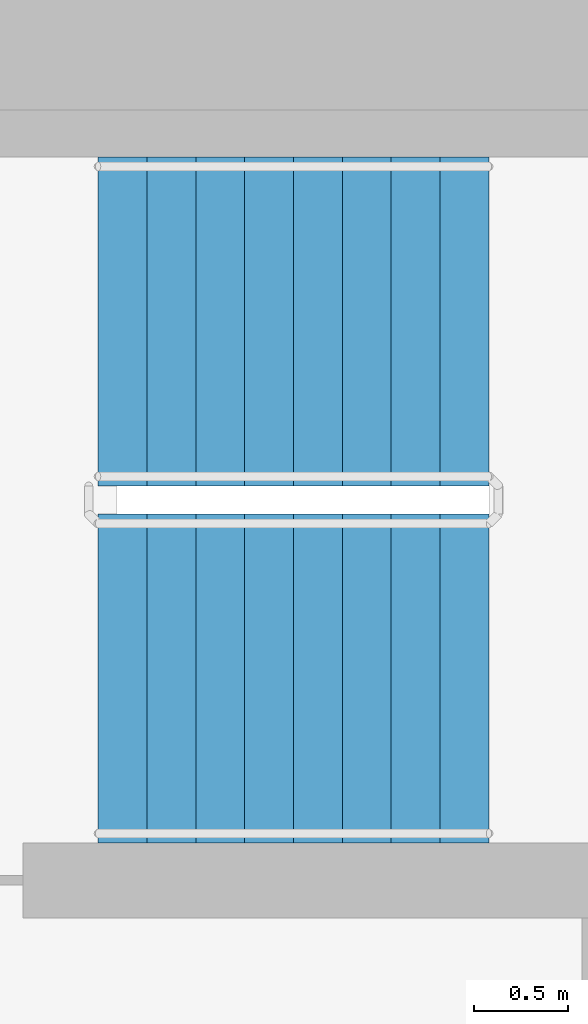
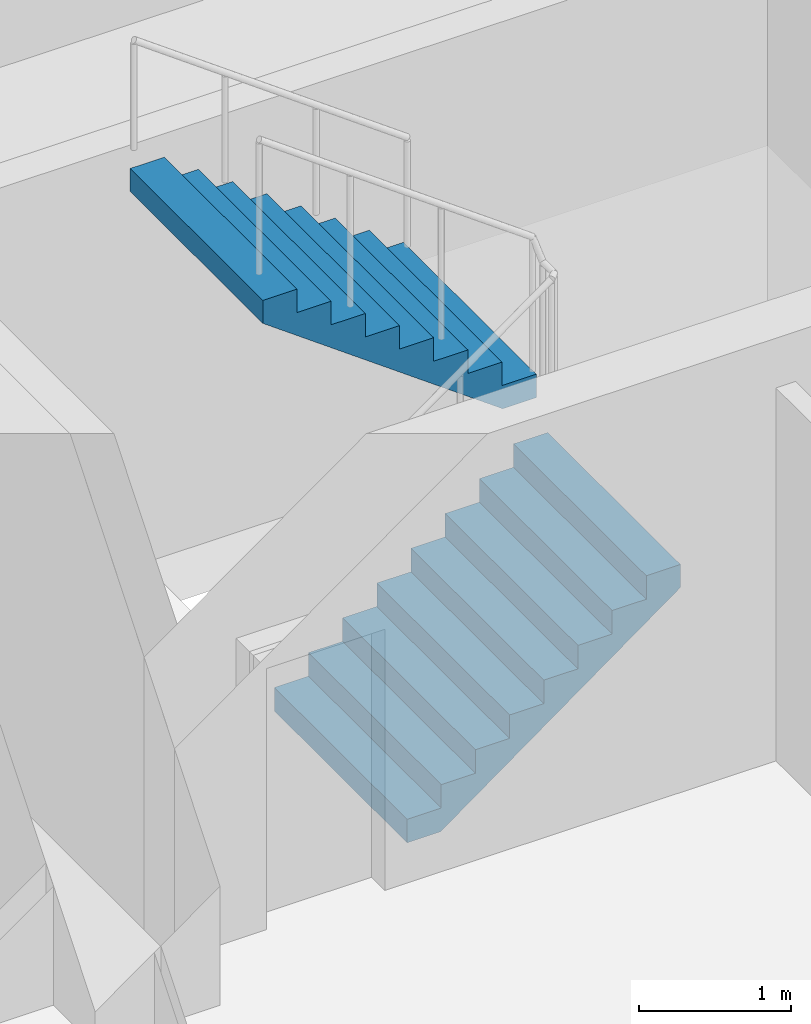
# One storey, part 16 of 21: 2 stair flights, 1 element without a shape of its own.
"""IFC4 building model written with IfcOpenShell, lengths in metres."""

from ifc_helpers import new_model, si_unit, direction, frame, origin, place, context, subcontext, project, spatial, faceted_brep, material, type_object, element, aggregate, save


model = new_model("IFC4")

# Units and contexts
model_context = context("Model", 3, precision=1e-05, world=origin(), true_north=direction((0.0, 1.0)))
body_context = subcontext(model_context, "Body", "Model", "MODEL_VIEW")
ifc_project = project(units=[si_unit("LENGTHUNIT", "METRE"), si_unit("AREAUNIT", "SQUARE_METRE"), si_unit("VOLUMEUNIT", "CUBIC_METRE"), si_unit("PLANEANGLEUNIT", "RADIAN"), si_unit("MASSUNIT", "GRAM", prefix="KILO")], contexts=[model_context])

# Site, building, storey
site_placement = place(None, origin())
site = spatial("IfcSite", under=ifc_project, at=site_placement, CompositionType="ELEMENT")
building_placement = place(site_placement, origin())
building = spatial("IfcBuilding", under=site, at=building_placement, Name="Ipe Terrace Towers", CompositionType="ELEMENT")
storey_placement = place(building_placement, frame((0.0, 0.0, 86.800048828125)))
storey = spatial("IfcBuildingStorey", under=building, at=storey_placement, Name="L23", CompositionType="ELEMENT", Elevation=86.800048828125)

# Stair, stair flights
ifc_material_1 = material(Name="Concrete C30/37", Category="concrete")
stair_type = type_object("IfcStairType", Name="Protected exit stair", PredefinedType="HALF_TURN_STAIR", material=ifc_material_1)
stair_placement = place(storey_placement, origin())
stair = element("IfcStair", 1, at=stair_placement, inside=storey, type_object=stair_type, Name="L23 Exit stair T1-C1", PredefinedType="HALF_TURN_STAIR")
ifc_material_2 = material(Name="Concrete C30/37", Category="concrete")
stair_flight_type = type_object("IfcStairFlightType", Name="Exit stair flight 1750", PredefinedType="STRAIGHT", material=ifc_material_2)
stair_flight_1_placement = place(storey_placement, frame((-26.300048828125, 2.77490234375, 0.0), z_axis=(0.0, 0.0, 1.0), x_axis=(1.0, 0.0, 0.0)))
stair_flight_1 = element("IfcStairFlight", 2, at=stair_flight_1_placement, type_object=stair_flight_type, Name="T1-ST1 flight 1", NumberOfRisers=9, NumberOfTreads=8, PredefinedType="STRAIGHT", RiserHeight=0.188888889, TreadLength=0.26, context=body_context, shape_type="Brep", body=[
    faceted_brep([(0.255126953125, -0.875, 0.0), (2.080078125, -0.875, 1.325927734375), (2.080078125, -0.875, 1.51123046875), (1.820068359375, -0.875, 1.51123046875), (1.820068359375, -0.875, 1.322265625), (1.56005859375, -0.875, 1.322265625), (1.56005859375, -0.875, 1.13330078125), (1.300048828125, -0.875, 1.13330078125), (1.300048828125, -0.875, 0.9443359375), (1.0400390625, -0.875, 0.9443359375), (1.0400390625, -0.875, 0.755615234375), (0.780029296875, -0.875, 0.755615234375), (0.780029296875, -0.875, 0.566650390625), (0.52001953125, -0.875, 0.566650390625), (0.52001953125, -0.875, 0.377685546875), (0.260009765625, -0.875, 0.377685546875), (0.260009765625, -0.875, 0.18896484375), (0.0, -0.875, 0.18896484375), (0.0, -0.875, 0.0), (0.0, 0.875, 0.0), (0.0, 0.875, 0.18896484375), (0.260009765625, 0.875, 0.18896484375), (0.260009765625, 0.875, 0.377685546875), (0.52001953125, 0.875, 0.377685546875), (0.52001953125, 0.875, 0.566650390625), (0.780029296875, 0.875, 0.566650390625), (0.780029296875, 0.875, 0.755615234375), (1.0400390625, 0.875, 0.755615234375), (1.0400390625, 0.875, 0.9443359375), (1.300048828125, 0.875, 0.9443359375), (1.300048828125, 0.875, 1.13330078125), (1.56005859375, 0.875, 1.13330078125), (1.56005859375, 0.875, 1.322265625), (1.820068359375, 0.875, 1.322265625), (1.820068359375, 0.875, 1.51123046875), (2.080078125, 0.875, 1.51123046875), (2.080078125, 0.875, 1.325927734375), (0.255126953125, 0.875, 0.0), (0.0, -0.300048828125, 0.18896484375), (0.0, -0.1201171875, 0.18896484375), (0.0, -0.06005859375, 0.18896484375), (0.0, -0.030029296875, 0.18896484375), (0.0, -0.010009765625, 0.18896484375), (0.0, 0.0, 0.18896484375), (0.0, 0.010009765625, 0.18896484375), (0.0, 0.030029296875, 0.18896484375), (0.0, 0.06005859375, 0.18896484375), (0.0, 0.1201171875, 0.18896484375), (0.0, 0.300048828125, 0.18896484375), (0.0, 0.300048828125, 0.0), (0.0, 0.1201171875, 0.0), (0.0, 0.06005859375, 0.0), (0.0, 0.030029296875, 0.0), (0.0, 0.010009765625, 0.0), (0.0, 0.0, 0.0), (0.0, -0.010009765625, 0.0), (0.0, -0.030029296875, 0.0), (0.0, -0.06005859375, 0.0), (0.0, -0.1201171875, 0.0), (0.0, -0.300048828125, 0.0), (0.260009765625, -0.300048828125, 0.18896484375), (0.260009765625, -0.1201171875, 0.18896484375), (0.260009765625, -0.06005859375, 0.18896484375), (0.260009765625, -0.030029296875, 0.18896484375), (0.260009765625, -0.010009765625, 0.18896484375), (0.260009765625, 0.0, 0.18896484375), (0.260009765625, 0.010009765625, 0.18896484375), (0.260009765625, 0.030029296875, 0.18896484375), (0.260009765625, 0.06005859375, 0.18896484375), (0.260009765625, 0.1201171875, 0.18896484375), (0.260009765625, 0.300048828125, 0.18896484375), (0.260009765625, -0.300048828125, 0.377685546875), (0.260009765625, -0.1201171875, 0.377685546875), (0.260009765625, -0.06005859375, 0.377685546875), (0.260009765625, -0.030029296875, 0.377685546875), (0.260009765625, -0.010009765625, 0.377685546875), (0.260009765625, 0.0, 0.377685546875), (0.260009765625, 0.010009765625, 0.377685546875), (0.260009765625, 0.030029296875, 0.377685546875), (0.260009765625, 0.06005859375, 0.377685546875), (0.260009765625, 0.1201171875, 0.377685546875), (0.260009765625, 0.300048828125, 0.377685546875), (0.52001953125, -0.300048828125, 0.377685546875), (0.52001953125, -0.1201171875, 0.377685546875), (0.52001953125, -0.06005859375, 0.377685546875), (0.52001953125, -0.030029296875, 0.377685546875), (0.52001953125, -0.010009765625, 0.377685546875), (0.52001953125, 0.0, 0.377685546875), (0.52001953125, 0.010009765625, 0.377685546875), (0.52001953125, 0.030029296875, 0.377685546875), (0.52001953125, 0.06005859375, 0.377685546875), (0.52001953125, 0.1201171875, 0.377685546875), (0.52001953125, 0.300048828125, 0.377685546875), (0.52001953125, -0.300048828125, 0.566650390625), (0.52001953125, -0.1201171875, 0.566650390625), (0.52001953125, -0.06005859375, 0.566650390625), (0.52001953125, -0.030029296875, 0.566650390625), (0.52001953125, -0.010009765625, 0.566650390625), (0.52001953125, 0.0, 0.566650390625), (0.52001953125, 0.010009765625, 0.566650390625), (0.52001953125, 0.030029296875, 0.566650390625), (0.52001953125, 0.06005859375, 0.566650390625), (0.52001953125, 0.1201171875, 0.566650390625), (0.52001953125, 0.300048828125, 0.566650390625), (0.780029296875, -0.300048828125, 0.566650390625), (0.780029296875, -0.1201171875, 0.566650390625), (0.780029296875, -0.06005859375, 0.566650390625), (0.780029296875, -0.030029296875, 0.566650390625), (0.780029296875, -0.010009765625, 0.566650390625), (0.780029296875, 0.0, 0.566650390625), (0.780029296875, 0.010009765625, 0.566650390625), (0.780029296875, 0.030029296875, 0.566650390625), (0.780029296875, 0.06005859375, 0.566650390625), (0.780029296875, 0.1201171875, 0.566650390625), (0.780029296875, 0.300048828125, 0.566650390625), (0.780029296875, -0.300048828125, 0.755615234375), (0.780029296875, -0.1201171875, 0.755615234375), (0.780029296875, -0.06005859375, 0.755615234375), (0.780029296875, -0.030029296875, 0.755615234375), (0.780029296875, -0.010009765625, 0.755615234375), (0.780029296875, 0.0, 0.755615234375), (0.780029296875, 0.010009765625, 0.755615234375), (0.780029296875, 0.030029296875, 0.755615234375), (0.780029296875, 0.06005859375, 0.755615234375), (0.780029296875, 0.1201171875, 0.755615234375), (0.780029296875, 0.300048828125, 0.755615234375), (1.0400390625, -0.300048828125, 0.755615234375), (1.0400390625, -0.1201171875, 0.755615234375), (1.0400390625, -0.06005859375, 0.755615234375), (1.0400390625, -0.030029296875, 0.755615234375), (1.0400390625, -0.010009765625, 0.755615234375), (1.0400390625, 0.0, 0.755615234375), (1.0400390625, 0.010009765625, 0.755615234375), (1.0400390625, 0.030029296875, 0.755615234375), (1.0400390625, 0.06005859375, 0.755615234375), (1.0400390625, 0.1201171875, 0.755615234375), (1.0400390625, 0.300048828125, 0.755615234375), (1.0400390625, -0.300048828125, 0.9443359375), (1.0400390625, -0.1201171875, 0.9443359375), (1.0400390625, -0.06005859375, 0.9443359375), (1.0400390625, -0.030029296875, 0.9443359375), (1.0400390625, -0.010009765625, 0.9443359375), (1.0400390625, 0.0, 0.9443359375), (1.0400390625, 0.010009765625, 0.9443359375), (1.0400390625, 0.030029296875, 0.9443359375), (1.0400390625, 0.06005859375, 0.9443359375), (1.0400390625, 0.1201171875, 0.9443359375), (1.0400390625, 0.300048828125, 0.9443359375), (1.300048828125, -0.300048828125, 0.9443359375), (1.300048828125, -0.1201171875, 0.9443359375), (1.300048828125, -0.06005859375, 0.9443359375), (1.300048828125, -0.030029296875, 0.9443359375), (1.300048828125, -0.010009765625, 0.9443359375), (1.300048828125, 0.0, 0.9443359375), (1.300048828125, 0.010009765625, 0.9443359375), (1.300048828125, 0.030029296875, 0.9443359375), (1.300048828125, 0.06005859375, 0.9443359375), (1.300048828125, 0.1201171875, 0.9443359375), (1.300048828125, 0.300048828125, 0.9443359375), (1.300048828125, -0.300048828125, 1.13330078125), (1.300048828125, -0.1201171875, 1.13330078125), (1.300048828125, -0.06005859375, 1.13330078125), (1.300048828125, -0.030029296875, 1.13330078125), (1.300048828125, -0.010009765625, 1.13330078125), (1.300048828125, 0.0, 1.13330078125), (1.300048828125, 0.010009765625, 1.13330078125), (1.300048828125, 0.030029296875, 1.13330078125), (1.300048828125, 0.06005859375, 1.13330078125), (1.300048828125, 0.1201171875, 1.13330078125), (1.300048828125, 0.300048828125, 1.13330078125), (1.56005859375, -0.300048828125, 1.13330078125), (1.56005859375, -0.1201171875, 1.13330078125), (1.56005859375, -0.06005859375, 1.13330078125), (1.56005859375, -0.030029296875, 1.13330078125), (1.56005859375, -0.010009765625, 1.13330078125), (1.56005859375, 0.0, 1.13330078125), (1.56005859375, 0.010009765625, 1.13330078125), (1.56005859375, 0.030029296875, 1.13330078125), (1.56005859375, 0.06005859375, 1.13330078125), (1.56005859375, 0.1201171875, 1.13330078125), (1.56005859375, 0.300048828125, 1.13330078125), (1.56005859375, -0.300048828125, 1.322265625), (1.56005859375, -0.1201171875, 1.322265625), (1.56005859375, -0.06005859375, 1.322265625), (1.56005859375, -0.030029296875, 1.322265625), (1.56005859375, -0.010009765625, 1.322265625), (1.56005859375, 0.0, 1.322265625), (1.56005859375, 0.010009765625, 1.322265625), (1.56005859375, 0.030029296875, 1.322265625), (1.56005859375, 0.06005859375, 1.322265625), (1.56005859375, 0.1201171875, 1.322265625), (1.56005859375, 0.300048828125, 1.322265625), (1.820068359375, -0.300048828125, 1.322265625), (1.820068359375, -0.1201171875, 1.322265625), (1.820068359375, -0.06005859375, 1.322265625), (1.820068359375, -0.030029296875, 1.322265625), (1.820068359375, -0.010009765625, 1.322265625), (1.820068359375, 0.0, 1.322265625), (1.820068359375, 0.010009765625, 1.322265625), (1.820068359375, 0.030029296875, 1.322265625), (1.820068359375, 0.06005859375, 1.322265625), (1.820068359375, 0.1201171875, 1.322265625), (1.820068359375, 0.300048828125, 1.322265625), (1.820068359375, -0.300048828125, 1.51123046875), (1.820068359375, -0.1201171875, 1.51123046875), (1.820068359375, -0.06005859375, 1.51123046875), (1.820068359375, -0.030029296875, 1.51123046875), (1.820068359375, -0.010009765625, 1.51123046875), (1.820068359375, 0.0, 1.51123046875), (1.820068359375, 0.010009765625, 1.51123046875), (1.820068359375, 0.030029296875, 1.51123046875), (1.820068359375, 0.06005859375, 1.51123046875), (1.820068359375, 0.1201171875, 1.51123046875), (1.820068359375, 0.300048828125, 1.51123046875), (2.080078125, -0.300048828125, 1.51123046875), (2.080078125, -0.1201171875, 1.51123046875), (2.080078125, -0.06005859375, 1.51123046875), (2.080078125, -0.030029296875, 1.51123046875), (2.080078125, -0.010009765625, 1.51123046875), (2.080078125, 0.0, 1.51123046875), (2.080078125, 0.010009765625, 1.51123046875), (2.080078125, 0.030029296875, 1.51123046875), (2.080078125, 0.06005859375, 1.51123046875), (2.080078125, 0.1201171875, 1.51123046875), (2.080078125, 0.300048828125, 1.51123046875), (2.080078125, -0.300048828125, 1.325927734375), (2.080078125, -0.1201171875, 1.325927734375), (2.080078125, -0.06005859375, 1.325927734375), (2.080078125, -0.030029296875, 1.325927734375), (2.080078125, -0.010009765625, 1.325927734375), (2.080078125, 0.0, 1.325927734375), (2.080078125, 0.010009765625, 1.325927734375), (2.080078125, 0.030029296875, 1.325927734375), (2.080078125, 0.06005859375, 1.325927734375), (2.080078125, 0.1201171875, 1.325927734375), (2.080078125, 0.300048828125, 1.325927734375), (0.255126953125, -0.300048828125, 0.0), (0.255126953125, -0.1201171875, 0.0), (0.255126953125, -0.06005859375, 0.0), (0.255126953125, -0.030029296875, 0.0), (0.255126953125, -0.010009765625, 0.0), (0.255126953125, 0.0, 0.0), (0.255126953125, 0.010009765625, 0.0), (0.255126953125, 0.030029296875, 0.0), (0.255126953125, 0.06005859375, 0.0), (0.255126953125, 0.1201171875, 0.0), (0.255126953125, 0.300048828125, 0.0)], [[[0, 1, 2, 3, 4, 5, 6, 7, 8, 9, 10, 11, 12, 13, 14, 15, 16, 17, 18]], [[19, 20, 21, 22, 23, 24, 25, 26, 27, 28, 29, 30, 31, 32, 33, 34, 35, 36, 37]], [[17, 38, 39, 40, 41, 42, 43, 44, 45, 46, 47, 48, 20, 19, 49, 50, 51, 52, 53, 54, 55, 56, 57, 58, 59, 18]], [[16, 60, 61, 62, 63, 64, 65, 66, 67, 68, 69, 70, 21, 20, 48, 47, 46, 45, 44, 43, 42, 41, 40, 39, 38, 17]], [[15, 71, 72, 73, 74, 75, 76, 77, 78, 79, 80, 81, 22, 21, 70, 69, 68, 67, 66, 65, 64, 63, 62, 61, 60, 16]], [[14, 82, 83, 84, 85, 86, 87, 88, 89, 90, 91, 92, 23, 22, 81, 80, 79, 78, 77, 76, 75, 74, 73, 72, 71, 15]], [[13, 93, 94, 95, 96, 97, 98, 99, 100, 101, 102, 103, 24, 23, 92, 91, 90, 89, 88, 87, 86, 85, 84, 83, 82, 14]], [[12, 104, 105, 106, 107, 108, 109, 110, 111, 112, 113, 114, 25, 24, 103, 102, 101, 100, 99, 98, 97, 96, 95, 94, 93, 13]], [[11, 115, 116, 117, 118, 119, 120, 121, 122, 123, 124, 125, 26, 25, 114, 113, 112, 111, 110, 109, 108, 107, 106, 105, 104, 12]], [[10, 126, 127, 128, 129, 130, 131, 132, 133, 134, 135, 136, 27, 26, 125, 124, 123, 122, 121, 120, 119, 118, 117, 116, 115, 11]], [[9, 137, 138, 139, 140, 141, 142, 143, 144, 145, 146, 147, 28, 27, 136, 135, 134, 133, 132, 131, 130, 129, 128, 127, 126, 10]], [[8, 148, 149, 150, 151, 152, 153, 154, 155, 156, 157, 158, 29, 28, 147, 146, 145, 144, 143, 142, 141, 140, 139, 138, 137, 9]], [[7, 159, 160, 161, 162, 163, 164, 165, 166, 167, 168, 169, 30, 29, 158, 157, 156, 155, 154, 153, 152, 151, 150, 149, 148, 8]], [[6, 170, 171, 172, 173, 174, 175, 176, 177, 178, 179, 180, 31, 30, 169, 168, 167, 166, 165, 164, 163, 162, 161, 160, 159, 7]], [[5, 181, 182, 183, 184, 185, 186, 187, 188, 189, 190, 191, 32, 31, 180, 179, 178, 177, 176, 175, 174, 173, 172, 171, 170, 6]], [[4, 192, 193, 194, 195, 196, 197, 198, 199, 200, 201, 202, 33, 32, 191, 190, 189, 188, 187, 186, 185, 184, 183, 182, 181, 5]], [[3, 203, 204, 205, 206, 207, 208, 209, 210, 211, 212, 213, 34, 33, 202, 201, 200, 199, 198, 197, 196, 195, 194, 193, 192, 4]], [[2, 214, 215, 216, 217, 218, 219, 220, 221, 222, 223, 224, 35, 34, 213, 212, 211, 210, 209, 208, 207, 206, 205, 204, 203, 3]], [[1, 225, 226, 227, 228, 229, 230, 231, 232, 233, 234, 235, 36, 35, 224, 223, 222, 221, 220, 219, 218, 217, 216, 215, 214, 2]], [[0, 236, 237, 238, 239, 240, 241, 242, 243, 244, 245, 246, 37, 36, 235, 234, 233, 232, 231, 230, 229, 228, 227, 226, 225, 1]], [[18, 59, 58, 57, 56, 55, 54, 53, 52, 51, 50, 49, 19, 37, 246, 245, 244, 243, 242, 241, 240, 239, 238, 237, 236, 0]]]),
])
stair_flight_2_placement = place(storey_placement, frame((-24.219970703125, 4.675048828125, 1.699951171875), z_axis=(0.0, 0.0, 1.0), x_axis=(-1.0, 0.0, 0.0)))
stair_flight_2 = element("IfcStairFlight", 3, at=stair_flight_2_placement, type_object=stair_flight_type, Name="T1-ST1 flight 2", NumberOfRisers=9, NumberOfTreads=8, PredefinedType="STRAIGHT", RiserHeight=0.188888889, TreadLength=0.26, context=body_context, shape_type="Brep", body=[
    faceted_brep([(0.255126953125, -0.875, 0.0), (2.080078125, -0.875, 1.325927734375), (2.080078125, -0.875, 1.51123046875), (1.820068359375, -0.875, 1.51123046875), (1.820068359375, -0.875, 1.322265625), (1.56005859375, -0.875, 1.322265625), (1.56005859375, -0.875, 1.13330078125), (1.300048828125, -0.875, 1.13330078125), (1.300048828125, -0.875, 0.9443359375), (1.0400390625, -0.875, 0.9443359375), (1.0400390625, -0.875, 0.755615234375), (0.780029296875, -0.875, 0.755615234375), (0.780029296875, -0.875, 0.566650390625), (0.52001953125, -0.875, 0.566650390625), (0.52001953125, -0.875, 0.377685546875), (0.260009765625, -0.875, 0.377685546875), (0.260009765625, -0.875, 0.18896484375), (0.0, -0.875, 0.18896484375), (0.0, -0.875, 0.0), (0.0, 0.875, 0.0), (0.0, 0.875, 0.18896484375), (0.260009765625, 0.875, 0.18896484375), (0.260009765625, 0.875, 0.377685546875), (0.52001953125, 0.875, 0.377685546875), (0.52001953125, 0.875, 0.566650390625), (0.780029296875, 0.875, 0.566650390625), (0.780029296875, 0.875, 0.755615234375), (1.0400390625, 0.875, 0.755615234375), (1.0400390625, 0.875, 0.9443359375), (1.300048828125, 0.875, 0.9443359375), (1.300048828125, 0.875, 1.13330078125), (1.56005859375, 0.875, 1.13330078125), (1.56005859375, 0.875, 1.322265625), (1.820068359375, 0.875, 1.322265625), (1.820068359375, 0.875, 1.51123046875), (2.080078125, 0.875, 1.51123046875), (2.080078125, 0.875, 1.325927734375), (0.255126953125, 0.875, 0.0), (0.0, -0.300048828125, 0.18896484375), (0.0, -0.1201171875, 0.18896484375), (0.0, -0.06005859375, 0.18896484375), (0.0, -0.030029296875, 0.18896484375), (0.0, -0.010009765625, 0.18896484375), (0.0, 0.0, 0.18896484375), (0.0, 0.010009765625, 0.18896484375), (0.0, 0.030029296875, 0.18896484375), (0.0, 0.06005859375, 0.18896484375), (0.0, 0.1201171875, 0.18896484375), (0.0, 0.300048828125, 0.18896484375), (0.0, 0.300048828125, 0.0), (0.0, 0.1201171875, 0.0), (0.0, 0.06005859375, 0.0), (0.0, 0.030029296875, 0.0), (0.0, 0.010009765625, 0.0), (0.0, 0.0, 0.0), (0.0, -0.010009765625, 0.0), (0.0, -0.030029296875, 0.0), (0.0, -0.06005859375, 0.0), (0.0, -0.1201171875, 0.0), (0.0, -0.300048828125, 0.0), (0.260009765625, -0.300048828125, 0.18896484375), (0.260009765625, -0.1201171875, 0.18896484375), (0.260009765625, -0.06005859375, 0.18896484375), (0.260009765625, -0.030029296875, 0.18896484375), (0.260009765625, -0.010009765625, 0.18896484375), (0.260009765625, 0.0, 0.18896484375), (0.260009765625, 0.010009765625, 0.18896484375), (0.260009765625, 0.030029296875, 0.18896484375), (0.260009765625, 0.06005859375, 0.18896484375), (0.260009765625, 0.1201171875, 0.18896484375), (0.260009765625, 0.300048828125, 0.18896484375), (0.260009765625, -0.300048828125, 0.377685546875), (0.260009765625, -0.1201171875, 0.377685546875), (0.260009765625, -0.06005859375, 0.377685546875), (0.260009765625, -0.030029296875, 0.377685546875), (0.260009765625, -0.010009765625, 0.377685546875), (0.260009765625, 0.0, 0.377685546875), (0.260009765625, 0.010009765625, 0.377685546875), (0.260009765625, 0.030029296875, 0.377685546875), (0.260009765625, 0.06005859375, 0.377685546875), (0.260009765625, 0.1201171875, 0.377685546875), (0.260009765625, 0.300048828125, 0.377685546875), (0.52001953125, -0.300048828125, 0.377685546875), (0.52001953125, -0.1201171875, 0.377685546875), (0.52001953125, -0.06005859375, 0.377685546875), (0.52001953125, -0.030029296875, 0.377685546875), (0.52001953125, -0.010009765625, 0.377685546875), (0.52001953125, 0.0, 0.377685546875), (0.52001953125, 0.010009765625, 0.377685546875), (0.52001953125, 0.030029296875, 0.377685546875), (0.52001953125, 0.06005859375, 0.377685546875), (0.52001953125, 0.1201171875, 0.377685546875), (0.52001953125, 0.300048828125, 0.377685546875), (0.52001953125, -0.300048828125, 0.566650390625), (0.52001953125, -0.1201171875, 0.566650390625), (0.52001953125, -0.06005859375, 0.566650390625), (0.52001953125, -0.030029296875, 0.566650390625), (0.52001953125, -0.010009765625, 0.566650390625), (0.52001953125, 0.0, 0.566650390625), (0.52001953125, 0.010009765625, 0.566650390625), (0.52001953125, 0.030029296875, 0.566650390625), (0.52001953125, 0.06005859375, 0.566650390625), (0.52001953125, 0.1201171875, 0.566650390625), (0.52001953125, 0.300048828125, 0.566650390625), (0.780029296875, -0.300048828125, 0.566650390625), (0.780029296875, -0.1201171875, 0.566650390625), (0.780029296875, -0.06005859375, 0.566650390625), (0.780029296875, -0.030029296875, 0.566650390625), (0.780029296875, -0.010009765625, 0.566650390625), (0.780029296875, 0.0, 0.566650390625), (0.780029296875, 0.010009765625, 0.566650390625), (0.780029296875, 0.030029296875, 0.566650390625), (0.780029296875, 0.06005859375, 0.566650390625), (0.780029296875, 0.1201171875, 0.566650390625), (0.780029296875, 0.300048828125, 0.566650390625), (0.780029296875, -0.300048828125, 0.755615234375), (0.780029296875, -0.1201171875, 0.755615234375), (0.780029296875, -0.06005859375, 0.755615234375), (0.780029296875, -0.030029296875, 0.755615234375), (0.780029296875, -0.010009765625, 0.755615234375), (0.780029296875, 0.0, 0.755615234375), (0.780029296875, 0.010009765625, 0.755615234375), (0.780029296875, 0.030029296875, 0.755615234375), (0.780029296875, 0.06005859375, 0.755615234375), (0.780029296875, 0.1201171875, 0.755615234375), (0.780029296875, 0.300048828125, 0.755615234375), (1.0400390625, -0.300048828125, 0.755615234375), (1.0400390625, -0.1201171875, 0.755615234375), (1.0400390625, -0.06005859375, 0.755615234375), (1.0400390625, -0.030029296875, 0.755615234375), (1.0400390625, -0.010009765625, 0.755615234375), (1.0400390625, 0.0, 0.755615234375), (1.0400390625, 0.010009765625, 0.755615234375), (1.0400390625, 0.030029296875, 0.755615234375), (1.0400390625, 0.06005859375, 0.755615234375), (1.0400390625, 0.1201171875, 0.755615234375), (1.0400390625, 0.300048828125, 0.755615234375), (1.0400390625, -0.300048828125, 0.9443359375), (1.0400390625, -0.1201171875, 0.9443359375), (1.0400390625, -0.06005859375, 0.9443359375), (1.0400390625, -0.030029296875, 0.9443359375), (1.0400390625, -0.010009765625, 0.9443359375), (1.0400390625, 0.0, 0.9443359375), (1.0400390625, 0.010009765625, 0.9443359375), (1.0400390625, 0.030029296875, 0.9443359375), (1.0400390625, 0.06005859375, 0.9443359375), (1.0400390625, 0.1201171875, 0.9443359375), (1.0400390625, 0.300048828125, 0.9443359375), (1.300048828125, -0.300048828125, 0.9443359375), (1.300048828125, -0.1201171875, 0.9443359375), (1.300048828125, -0.06005859375, 0.9443359375), (1.300048828125, -0.030029296875, 0.9443359375), (1.300048828125, -0.010009765625, 0.9443359375), (1.300048828125, 0.0, 0.9443359375), (1.300048828125, 0.010009765625, 0.9443359375), (1.300048828125, 0.030029296875, 0.9443359375), (1.300048828125, 0.06005859375, 0.9443359375), (1.300048828125, 0.1201171875, 0.9443359375), (1.300048828125, 0.300048828125, 0.9443359375), (1.300048828125, -0.300048828125, 1.13330078125), (1.300048828125, -0.1201171875, 1.13330078125), (1.300048828125, -0.06005859375, 1.13330078125), (1.300048828125, -0.030029296875, 1.13330078125), (1.300048828125, -0.010009765625, 1.13330078125), (1.300048828125, 0.0, 1.13330078125), (1.300048828125, 0.010009765625, 1.13330078125), (1.300048828125, 0.030029296875, 1.13330078125), (1.300048828125, 0.06005859375, 1.13330078125), (1.300048828125, 0.1201171875, 1.13330078125), (1.300048828125, 0.300048828125, 1.13330078125), (1.56005859375, -0.300048828125, 1.13330078125), (1.56005859375, -0.1201171875, 1.13330078125), (1.56005859375, -0.06005859375, 1.13330078125), (1.56005859375, -0.030029296875, 1.13330078125), (1.56005859375, -0.010009765625, 1.13330078125), (1.56005859375, 0.0, 1.13330078125), (1.56005859375, 0.010009765625, 1.13330078125), (1.56005859375, 0.030029296875, 1.13330078125), (1.56005859375, 0.06005859375, 1.13330078125), (1.56005859375, 0.1201171875, 1.13330078125), (1.56005859375, 0.300048828125, 1.13330078125), (1.56005859375, -0.300048828125, 1.322265625), (1.56005859375, -0.1201171875, 1.322265625), (1.56005859375, -0.06005859375, 1.322265625), (1.56005859375, -0.030029296875, 1.322265625), (1.56005859375, -0.010009765625, 1.322265625), (1.56005859375, 0.0, 1.322265625), (1.56005859375, 0.010009765625, 1.322265625), (1.56005859375, 0.030029296875, 1.322265625), (1.56005859375, 0.06005859375, 1.322265625), (1.56005859375, 0.1201171875, 1.322265625), (1.56005859375, 0.300048828125, 1.322265625), (1.820068359375, -0.300048828125, 1.322265625), (1.820068359375, -0.1201171875, 1.322265625), (1.820068359375, -0.06005859375, 1.322265625), (1.820068359375, -0.030029296875, 1.322265625), (1.820068359375, -0.010009765625, 1.322265625), (1.820068359375, 0.0, 1.322265625), (1.820068359375, 0.010009765625, 1.322265625), (1.820068359375, 0.030029296875, 1.322265625), (1.820068359375, 0.06005859375, 1.322265625), (1.820068359375, 0.1201171875, 1.322265625), (1.820068359375, 0.300048828125, 1.322265625), (1.820068359375, -0.300048828125, 1.51123046875), (1.820068359375, -0.1201171875, 1.51123046875), (1.820068359375, -0.06005859375, 1.51123046875), (1.820068359375, -0.030029296875, 1.51123046875), (1.820068359375, -0.010009765625, 1.51123046875), (1.820068359375, 0.0, 1.51123046875), (1.820068359375, 0.010009765625, 1.51123046875), (1.820068359375, 0.030029296875, 1.51123046875), (1.820068359375, 0.06005859375, 1.51123046875), (1.820068359375, 0.1201171875, 1.51123046875), (1.820068359375, 0.300048828125, 1.51123046875), (2.080078125, -0.300048828125, 1.51123046875), (2.080078125, -0.1201171875, 1.51123046875), (2.080078125, -0.06005859375, 1.51123046875), (2.080078125, -0.030029296875, 1.51123046875), (2.080078125, -0.010009765625, 1.51123046875), (2.080078125, 0.0, 1.51123046875), (2.080078125, 0.010009765625, 1.51123046875), (2.080078125, 0.030029296875, 1.51123046875), (2.080078125, 0.06005859375, 1.51123046875), (2.080078125, 0.1201171875, 1.51123046875), (2.080078125, 0.300048828125, 1.51123046875), (2.080078125, -0.300048828125, 1.325927734375), (2.080078125, -0.1201171875, 1.325927734375), (2.080078125, -0.06005859375, 1.325927734375), (2.080078125, -0.030029296875, 1.325927734375), (2.080078125, -0.010009765625, 1.325927734375), (2.080078125, 0.0, 1.325927734375), (2.080078125, 0.010009765625, 1.325927734375), (2.080078125, 0.030029296875, 1.325927734375), (2.080078125, 0.06005859375, 1.325927734375), (2.080078125, 0.1201171875, 1.325927734375), (2.080078125, 0.300048828125, 1.325927734375), (0.255126953125, -0.300048828125, 0.0), (0.255126953125, -0.1201171875, 0.0), (0.255126953125, -0.06005859375, 0.0), (0.255126953125, -0.030029296875, 0.0), (0.255126953125, -0.010009765625, 0.0), (0.255126953125, 0.0, 0.0), (0.255126953125, 0.010009765625, 0.0), (0.255126953125, 0.030029296875, 0.0), (0.255126953125, 0.06005859375, 0.0), (0.255126953125, 0.1201171875, 0.0), (0.255126953125, 0.300048828125, 0.0)], [[[0, 1, 2, 3, 4, 5, 6, 7, 8, 9, 10, 11, 12, 13, 14, 15, 16, 17, 18]], [[19, 20, 21, 22, 23, 24, 25, 26, 27, 28, 29, 30, 31, 32, 33, 34, 35, 36, 37]], [[17, 38, 39, 40, 41, 42, 43, 44, 45, 46, 47, 48, 20, 19, 49, 50, 51, 52, 53, 54, 55, 56, 57, 58, 59, 18]], [[16, 60, 61, 62, 63, 64, 65, 66, 67, 68, 69, 70, 21, 20, 48, 47, 46, 45, 44, 43, 42, 41, 40, 39, 38, 17]], [[15, 71, 72, 73, 74, 75, 76, 77, 78, 79, 80, 81, 22, 21, 70, 69, 68, 67, 66, 65, 64, 63, 62, 61, 60, 16]], [[14, 82, 83, 84, 85, 86, 87, 88, 89, 90, 91, 92, 23, 22, 81, 80, 79, 78, 77, 76, 75, 74, 73, 72, 71, 15]], [[13, 93, 94, 95, 96, 97, 98, 99, 100, 101, 102, 103, 24, 23, 92, 91, 90, 89, 88, 87, 86, 85, 84, 83, 82, 14]], [[12, 104, 105, 106, 107, 108, 109, 110, 111, 112, 113, 114, 25, 24, 103, 102, 101, 100, 99, 98, 97, 96, 95, 94, 93, 13]], [[11, 115, 116, 117, 118, 119, 120, 121, 122, 123, 124, 125, 26, 25, 114, 113, 112, 111, 110, 109, 108, 107, 106, 105, 104, 12]], [[10, 126, 127, 128, 129, 130, 131, 132, 133, 134, 135, 136, 27, 26, 125, 124, 123, 122, 121, 120, 119, 118, 117, 116, 115, 11]], [[9, 137, 138, 139, 140, 141, 142, 143, 144, 145, 146, 147, 28, 27, 136, 135, 134, 133, 132, 131, 130, 129, 128, 127, 126, 10]], [[8, 148, 149, 150, 151, 152, 153, 154, 155, 156, 157, 158, 29, 28, 147, 146, 145, 144, 143, 142, 141, 140, 139, 138, 137, 9]], [[7, 159, 160, 161, 162, 163, 164, 165, 166, 167, 168, 169, 30, 29, 158, 157, 156, 155, 154, 153, 152, 151, 150, 149, 148, 8]], [[6, 170, 171, 172, 173, 174, 175, 176, 177, 178, 179, 180, 31, 30, 169, 168, 167, 166, 165, 164, 163, 162, 161, 160, 159, 7]], [[5, 181, 182, 183, 184, 185, 186, 187, 188, 189, 190, 191, 32, 31, 180, 179, 178, 177, 176, 175, 174, 173, 172, 171, 170, 6]], [[4, 192, 193, 194, 195, 196, 197, 198, 199, 200, 201, 202, 33, 32, 191, 190, 189, 188, 187, 186, 185, 184, 183, 182, 181, 5]], [[3, 203, 204, 205, 206, 207, 208, 209, 210, 211, 212, 213, 34, 33, 202, 201, 200, 199, 198, 197, 196, 195, 194, 193, 192, 4]], [[2, 214, 215, 216, 217, 218, 219, 220, 221, 222, 223, 224, 35, 34, 213, 212, 211, 210, 209, 208, 207, 206, 205, 204, 203, 3]], [[1, 225, 226, 227, 228, 229, 230, 231, 232, 233, 234, 235, 36, 35, 224, 223, 222, 221, 220, 219, 218, 217, 216, 215, 214, 2]], [[0, 236, 237, 238, 239, 240, 241, 242, 243, 244, 245, 246, 37, 36, 235, 234, 233, 232, 231, 230, 229, 228, 227, 226, 225, 1]], [[18, 59, 58, 57, 56, 55, 54, 53, 52, 51, 50, 49, 19, 37, 246, 245, 244, 243, 242, 241, 240, 239, 238, 237, 236, 0]]]),
])
aggregate(stair, [stair_flight_1, stair_flight_2])

save(model, "model.ifc")
